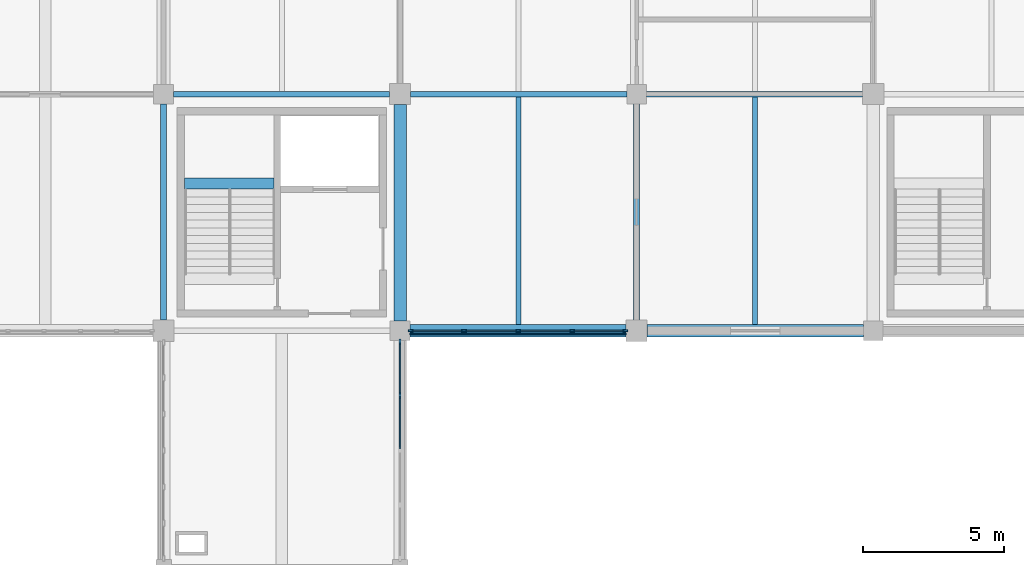
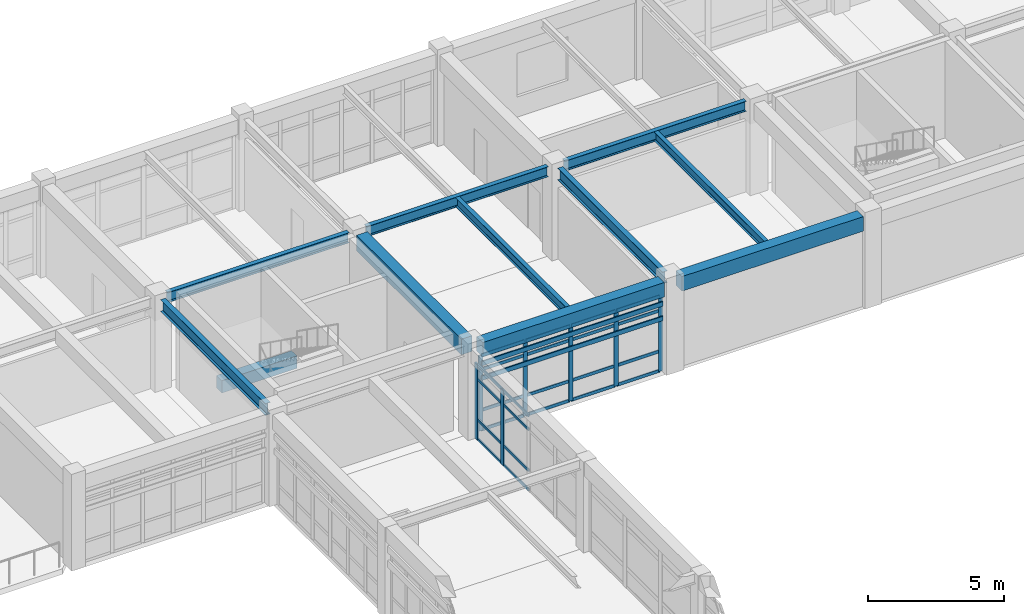
# One storey, part 12 of 40: 33 members, 11 beams, 2 elements without a shape of their own.
"""IFC4 building model written with IfcOpenShell, lengths in metres."""

from ifc_helpers import new_model, si_unit, direction, frame, origin, origin_2d, place, context, subcontext, project, spatial, rectangle, i_section, extrude, material, layer, layer_set, material_profile, profile_set, type_object, element, aggregate, save


model = new_model("IFC4")

# Units and contexts
model_context = context("Model", 3, precision=1e-05, world=origin(), true_north=direction((0.0, 1.0)))
body_context = subcontext(model_context, "Body", "Model", "MODEL_VIEW")
ifc_project = project(units=[si_unit("LENGTHUNIT", "METRE"), si_unit("AREAUNIT", "SQUARE_METRE"), si_unit("VOLUMEUNIT", "CUBIC_METRE"), si_unit("PLANEANGLEUNIT", "RADIAN"), si_unit("MASSUNIT", "GRAM", prefix="KILO")], contexts=[model_context])

# Site, building, storey
site_placement = place(None, origin())
site = spatial("IfcSite", under=ifc_project, at=site_placement, CompositionType="ELEMENT")
building_placement = place(site_placement, origin())
building = spatial("IfcBuilding", under=site, at=building_placement, Name="Porcellanite Civic Hall", CompositionType="ELEMENT")
storey_placement = place(building_placement, frame((0.0, 0.0, 19.080078125)))
storey = spatial("IfcBuildingStorey", under=building, at=storey_placement, Name="L04", CompositionType="ELEMENT", Elevation=19.080078125)

# Beams
ifc_material_1 = material(Name="Concrete N50 (50 MPa)", Category="concrete")
ifc_material_profile_1 = material_profile(ifc_material_1, rectangle(XDim=0.39990234375, YDim=0.550048828125, at=origin_2d()), Name="RC-400x550")
ifc_profile_set_1 = profile_set([ifc_material_profile_1], Name="Concrete N50 (50 MPa)")
beam_type_1 = type_object("IfcBeamType", Name="BM-RC550", PredefinedType="JOIST", material=ifc_profile_set_1)
beam_1_placement = place(storey_placement, frame((51.140380859375, 106.02490234375, 1.704833984375), z_axis=(1.0, 0.0, 0.0), x_axis=(0.0, 1.0, 0.0)))
element("IfcBeam", 1, at=beam_1_placement, inside=storey, type_object=beam_type_1, Name="Stair landing beam C3 L04", PredefinedType="JOIST", context=body_context, shape_type="SweptSolid", body=[
    extrude(rectangle(XDim=0.39990234375, YDim=0.550048828125, at=origin_2d()), origin(), (0.0, 0.0, 1.0), 3.17919921875),
])
ifc_material_2 = material(Name="Concrete N50 (50 MPa)", Category="concrete")
ifc_material_profile_2 = material_profile(ifc_material_2, rectangle(XDim=0.449951171875, YDim=0.64990234375, at=origin_2d()), Name="RC-450x650")
ifc_profile_set_2 = profile_set([ifc_material_profile_2], Name="Concrete N50 (50 MPa)")
beam_type_2 = type_object("IfcBeamType", Name="BM-RC650", PredefinedType="SPANDREL", material=ifc_profile_set_2)
for number, where, z_axis, x_axis, name in (
    (2, (59.1494140625, 100.800048828125, 3.744873046875), (1.0, 0.0, 0.0), (0.0, 1.0, 0.0), "Beam X L04 8-13"),
    (3, (67.574462890625, 100.800048828125, 3.744873046875), (1.0, 0.0, 0.0), (0.0, 1.0, 0.0), "Beam X L04 9-13"),
):
    element("IfcBeam", number, at=place(storey_placement, frame(where, z_axis=z_axis, x_axis=x_axis)), inside=storey, type_object=beam_type_2, Name=name, PredefinedType="SPANDREL", context=body_context, shape_type="SweptSolid", body=[
        extrude(rectangle(XDim=0.449951171875, YDim=0.64990234375, at=origin_2d()), origin(), (0.0, 0.0, 1.0), 7.676025390625),
    ])
ifc_material_3 = material(Name="Concrete N50 (50 MPa)", Category="concrete")
ifc_material_profile_3 = material_profile(ifc_material_3, rectangle(XDim=0.449951171875, YDim=0.699951171875, at=origin_2d()), Name="RC-450x700")
ifc_profile_set_3 = profile_set([ifc_material_profile_3], Name="Concrete N50 (50 MPa)")
beam_type_3 = type_object("IfcBeamType", Name="BM-RC700", PredefinedType="BEAM", material=ifc_profile_set_3)
beam_2_placement = place(storey_placement, frame((58.800048828125, 101.1494140625, 3.719970703125), z_axis=(0.0, 1.0, 0.0), x_axis=(-1.0, 0.0, 0.0)))
element("IfcBeam", 4, at=beam_2_placement, inside=storey, type_object=beam_type_3, Name="Beam Y L04 8-13", PredefinedType="BEAM", context=body_context, shape_type="SweptSolid", body=[
    extrude(rectangle(XDim=0.449951171875, YDim=0.699951171875, at=origin_2d()), origin(), (0.0, 0.0, 1.0), 7.676025390625),
])

# Curtain wall, members
ifc_material_4 = material(Name="Anodised aluminium and solar laminated glass", Category="aluminium")
ifc_layer_1 = layer(ifc_material_4, 0.179931640625)
ifc_layer_set_1 = layer_set([ifc_layer_1], Name="Anodised aluminium and solar laminated glass")
curtain_wall_type_1 = type_object("IfcCurtainWallType", Name="CW-SYS03", PredefinedType="NOTDEFINED", material=ifc_layer_set_1)
curtain_wall_1_placement = place(storey_placement, origin())
curtain_wall_1 = element("IfcCurtainWall", 5, at=curtain_wall_1_placement, inside=storey, type_object=curtain_wall_type_1, Name="Curtain wall CW-246", PredefinedType="NOTDEFINED")
ifc_material_5 = material(Name="Anodised aluminium 6063-T6", Category="aluminium")
ifc_material_profile_4 = material_profile(ifc_material_5, rectangle(XDim=0.080078125, YDim=0.2099609375, at=origin_2d()), Name="AL-80x210")
ifc_profile_set_4 = profile_set([ifc_material_profile_4], Name="Anodised aluminium 6063-T6")
member_type_1 = type_object("IfcMemberType", Name="CWM-02", PredefinedType="MULLION", material=ifc_profile_set_4)
member_1_placement = place(storey_placement, frame((58.800048828125, 100.408935546875, 0.0), z_axis=(0.0, 0.0, 1.0), x_axis=(1.0, 0.0, 0.0)))
member_1 = element("IfcMember", 6, at=member_1_placement, type_object=member_type_1, Name="CW-246 mullion 1", PredefinedType="MULLION", context=body_context, shape_type="SweptSolid", body=[
    extrude(rectangle(XDim=0.080078125, YDim=0.2099609375, at=origin_2d()), origin(), (0.0, 0.0, 1.0), 3.369873046875),
])
member_2_placement = place(storey_placement, frame((58.800048828125, 98.505859375, 0.0), z_axis=(0.0, 0.0, 1.0), x_axis=(1.0, 0.0, 0.0)))
member_2 = element("IfcMember", 7, at=member_2_placement, type_object=member_type_1, Name="CW-246 mullion 2", PredefinedType="MULLION", context=body_context, shape_type="SweptSolid", body=[
    extrude(rectangle(XDim=0.080078125, YDim=0.2099609375, at=origin_2d()), origin(), (0.0, 0.0, 1.0), 3.369873046875),
])

ifc_material_6 = material(Name="Anodised aluminium and solar laminated glass", Category="aluminium")
ifc_layer_2 = layer(ifc_material_6, 0.179931640625)
ifc_layer_set_2 = layer_set([ifc_layer_2], Name="Anodised aluminium and solar laminated glass")
curtain_wall_type_2 = type_object("IfcCurtainWallType", Name="CW-SYS06", PredefinedType="NOTDEFINED", material=ifc_layer_set_2)
curtain_wall_2_placement = place(storey_placement, origin())
curtain_wall_2 = element("IfcCurtainWall", 8, at=curtain_wall_2_placement, inside=storey, type_object=curtain_wall_type_2, Name="Curtain wall CW-248", PredefinedType="NOTDEFINED")
ifc_material_7 = material(Name="Anodised aluminium 6063-T6", Category="aluminium")
ifc_material_profile_5 = material_profile(ifc_material_7, rectangle(XDim=0.06494140625, YDim=0.179931640625, at=origin_2d()), Name="AL-65x180")
ifc_profile_set_5 = profile_set([ifc_material_profile_5], Name="Anodised aluminium 6063-T6")
member_type_2 = type_object("IfcMemberType", Name="CWM-06", PredefinedType="MULLION", material=ifc_profile_set_5)
member_3_placement = place(storey_placement, frame((66.79150390625, 100.800048828125, 0.0), z_axis=(0.0, 0.0, 1.0), x_axis=(0.0, -1.0, 0.0)))
member_3 = element("IfcMember", 9, at=member_3_placement, type_object=member_type_2, Name="CW-248 mullion 1", PredefinedType="MULLION", context=body_context, shape_type="SweptSolid", body=[
    extrude(rectangle(XDim=0.06494140625, YDim=0.179931640625, at=origin_2d()), origin(), (0.0, 0.0, 1.0), 3.369873046875),
])
member_4_placement = place(storey_placement, frame((64.90576171875, 100.800048828125, 0.0), z_axis=(0.0, 0.0, 1.0), x_axis=(0.0, -1.0, 0.0)))
member_4 = element("IfcMember", 10, at=member_4_placement, type_object=member_type_2, Name="CW-248 mullion 2", PredefinedType="MULLION", context=body_context, shape_type="SweptSolid", body=[
    extrude(rectangle(XDim=0.06494140625, YDim=0.179931640625, at=origin_2d()), origin(), (0.0, 0.0, 1.0), 3.369873046875),
])
member_5_placement = place(storey_placement, frame((62.987548828125, 100.800048828125, 0.0), z_axis=(0.0, 0.0, 1.0), x_axis=(0.0, -1.0, 0.0)))
member_5 = element("IfcMember", 11, at=member_5_placement, type_object=member_type_2, Name="CW-248 mullion 3", PredefinedType="MULLION", context=body_context, shape_type="SweptSolid", body=[
    extrude(rectangle(XDim=0.06494140625, YDim=0.179931640625, at=origin_2d()), origin(), (0.0, 0.0, 1.0), 3.369873046875),
])
member_6_placement = place(storey_placement, frame((61.0693359375, 100.800048828125, 0.0), z_axis=(0.0, 0.0, 1.0), x_axis=(0.0, -1.0, 0.0)))
member_6 = element("IfcMember", 12, at=member_6_placement, type_object=member_type_2, Name="CW-248 mullion 4", PredefinedType="MULLION", context=body_context, shape_type="SweptSolid", body=[
    extrude(rectangle(XDim=0.06494140625, YDim=0.179931640625, at=origin_2d()), origin(), (0.0, 0.0, 1.0), 3.369873046875),
])
member_7_placement = place(storey_placement, frame((59.18359375, 100.800048828125, 0.0), z_axis=(0.0, 0.0, 1.0), x_axis=(0.0, -1.0, 0.0)))
member_7 = element("IfcMember", 13, at=member_7_placement, type_object=member_type_2, Name="CW-248 mullion 5", PredefinedType="MULLION", context=body_context, shape_type="SweptSolid", body=[
    extrude(rectangle(XDim=0.06494140625, YDim=0.179931640625, at=origin_2d()), origin(), (0.0, 0.0, 1.0), 3.369873046875),
])

# Member
ifc_material_8 = material(Name="Anodised aluminium 6063-T6", Category="aluminium")
ifc_material_profile_6 = material_profile(ifc_material_8, rectangle(XDim=0.054931640625, YDim=0.1201171875, at=origin_2d()), Name="AL-55x120")
ifc_profile_set_6 = profile_set([ifc_material_profile_6], Name="Anodised aluminium 6063-T6")
member_type_3 = type_object("IfcMemberType", Name="CWT-04", PredefinedType="USERDEFINED", material=ifc_profile_set_6)
member_8_placement = place(storey_placement, frame((58.800048828125, 100.368896484375, 0.02734375), z_axis=(0.0, -1.0, 0.0), x_axis=(1.0, 0.0, 0.0)))
member_8 = element("IfcMember", 14, at=member_8_placement, type_object=member_type_3, Name="CW-246 transom 1.1", ObjectType="TRANSOM", PredefinedType="USERDEFINED", context=body_context, shape_type="SweptSolid", body=[
    extrude(rectangle(XDim=0.054931640625, YDim=0.1201171875, at=origin_2d()), origin(), (0.0, 0.0, 1.0), 1.8232421875),
])

member_9_placement = place(storey_placement, frame((58.800048828125, 100.368896484375, 0.89990234375), z_axis=(0.0, -1.0, 0.0), x_axis=(1.0, 0.0, 0.0)))
member_9 = element("IfcMember", 15, at=member_9_placement, type_object=member_type_3, Name="CW-246 transom 1.2", ObjectType="TRANSOM", PredefinedType="USERDEFINED", context=body_context, shape_type="SweptSolid", body=[
    extrude(rectangle(XDim=0.054931640625, YDim=0.1201171875, at=origin_2d()), origin(), (0.0, 0.0, 1.0), 1.8232421875),
])

member_10_placement = place(storey_placement, frame((58.800048828125, 100.368896484375, 2.719970703125), z_axis=(0.0, -1.0, 0.0), x_axis=(1.0, 0.0, 0.0)))
member_10 = element("IfcMember", 16, at=member_10_placement, type_object=member_type_3, Name="CW-246 transom 1.3", ObjectType="TRANSOM", PredefinedType="USERDEFINED", context=body_context, shape_type="SweptSolid", body=[
    extrude(rectangle(XDim=0.054931640625, YDim=0.1201171875, at=origin_2d()), origin(), (0.0, 0.0, 1.0), 1.8232421875),
])

member_11_placement = place(storey_placement, frame((58.800048828125, 100.368896484375, 3.342529296875), z_axis=(0.0, -1.0, 0.0), x_axis=(1.0, 0.0, 0.0)))
member_11 = element("IfcMember", 17, at=member_11_placement, type_object=member_type_3, Name="CW-246 transom 1.4", ObjectType="TRANSOM", PredefinedType="USERDEFINED", context=body_context, shape_type="SweptSolid", body=[
    extrude(rectangle(XDim=0.054931640625, YDim=0.1201171875, at=origin_2d()), origin(), (0.0, 0.0, 1.0), 1.8232421875),
])

member_12_placement = place(storey_placement, frame((58.800048828125, 98.4658203125, 0.02734375), z_axis=(0.0, -1.0, 0.0), x_axis=(1.0, 0.0, 0.0)))
member_12 = element("IfcMember", 18, at=member_12_placement, type_object=member_type_3, Name="CW-246 transom 2.1", ObjectType="TRANSOM", PredefinedType="USERDEFINED", context=body_context, shape_type="SweptSolid", body=[
    extrude(rectangle(XDim=0.054931640625, YDim=0.1201171875, at=origin_2d()), origin(), (0.0, 0.0, 1.0), 1.86328125),
])

member_13_placement = place(storey_placement, frame((58.800048828125, 98.4658203125, 0.89990234375), z_axis=(0.0, -1.0, 0.0), x_axis=(1.0, 0.0, 0.0)))
member_13 = element("IfcMember", 19, at=member_13_placement, type_object=member_type_3, Name="CW-246 transom 2.2", ObjectType="TRANSOM", PredefinedType="USERDEFINED", context=body_context, shape_type="SweptSolid", body=[
    extrude(rectangle(XDim=0.054931640625, YDim=0.1201171875, at=origin_2d()), origin(), (0.0, 0.0, 1.0), 1.86328125),
])

member_14_placement = place(storey_placement, frame((58.800048828125, 98.4658203125, 2.719970703125), z_axis=(0.0, -1.0, 0.0), x_axis=(1.0, 0.0, 0.0)))
member_14 = element("IfcMember", 20, at=member_14_placement, type_object=member_type_3, Name="CW-246 transom 2.3", ObjectType="TRANSOM", PredefinedType="USERDEFINED", context=body_context, shape_type="SweptSolid", body=[
    extrude(rectangle(XDim=0.054931640625, YDim=0.1201171875, at=origin_2d()), origin(), (0.0, 0.0, 1.0), 1.86328125),
])

member_15_placement = place(storey_placement, frame((58.800048828125, 98.4658203125, 3.342529296875), z_axis=(0.0, -1.0, 0.0), x_axis=(1.0, 0.0, 0.0)))
member_15 = element("IfcMember", 21, at=member_15_placement, type_object=member_type_3, Name="CW-246 transom 2.4", ObjectType="TRANSOM", PredefinedType="USERDEFINED", context=body_context, shape_type="SweptSolid", body=[
    extrude(rectangle(XDim=0.054931640625, YDim=0.1201171875, at=origin_2d()), origin(), (0.0, 0.0, 1.0), 1.86328125),
])

aggregate(curtain_wall_1, [member_1, member_2, member_8, member_9, member_10, member_11, member_12, member_13, member_14, member_15])

ifc_material_9 = material(Name="Anodised aluminium 6063-T6", Category="aluminium")
ifc_material_profile_7 = material_profile(ifc_material_9, rectangle(XDim=0.050048828125, YDim=0.139892578125, at=origin_2d()), Name="AL-50x140")
ifc_profile_set_7 = profile_set([ifc_material_profile_7], Name="Anodised aluminium 6063-T6")
member_type_4 = type_object("IfcMemberType", Name="CWT-06", PredefinedType="USERDEFINED", material=ifc_profile_set_7)
member_16_placement = place(storey_placement, frame((66.759033203125, 100.800048828125, 0.02490234375), z_axis=(-1.0, 0.0, 0.0), x_axis=(0.0, -1.0, 0.0)))
member_16 = element("IfcMember", 22, at=member_16_placement, type_object=member_type_4, Name="CW-248 transom 1.1", ObjectType="TRANSOM", PredefinedType="USERDEFINED", context=body_context, shape_type="SweptSolid", body=[
    extrude(rectangle(XDim=0.050048828125, YDim=0.139892578125, at=origin_2d()), origin(), (0.0, 0.0, 1.0), 1.82080078125),
])

member_17_placement = place(storey_placement, frame((66.759033203125, 100.800048828125, 0.89990234375), z_axis=(-1.0, 0.0, 0.0), x_axis=(0.0, -1.0, 0.0)))
member_17 = element("IfcMember", 23, at=member_17_placement, type_object=member_type_4, Name="CW-248 transom 1.2", ObjectType="TRANSOM", PredefinedType="USERDEFINED", context=body_context, shape_type="SweptSolid", body=[
    extrude(rectangle(XDim=0.050048828125, YDim=0.139892578125, at=origin_2d()), origin(), (0.0, 0.0, 1.0), 1.82080078125),
])

member_18_placement = place(storey_placement, frame((66.759033203125, 100.800048828125, 2.719970703125), z_axis=(-1.0, 0.0, 0.0), x_axis=(0.0, -1.0, 0.0)))
member_18 = element("IfcMember", 24, at=member_18_placement, type_object=member_type_4, Name="CW-248 transom 1.3", ObjectType="TRANSOM", PredefinedType="USERDEFINED", context=body_context, shape_type="SweptSolid", body=[
    extrude(rectangle(XDim=0.050048828125, YDim=0.139892578125, at=origin_2d()), origin(), (0.0, 0.0, 1.0), 1.82080078125),
])

member_19_placement = place(storey_placement, frame((66.759033203125, 100.800048828125, 3.344970703125), z_axis=(-1.0, 0.0, 0.0), x_axis=(0.0, -1.0, 0.0)))
member_19 = element("IfcMember", 25, at=member_19_placement, type_object=member_type_4, Name="CW-248 transom 1.4", ObjectType="TRANSOM", PredefinedType="USERDEFINED", context=body_context, shape_type="SweptSolid", body=[
    extrude(rectangle(XDim=0.050048828125, YDim=0.139892578125, at=origin_2d()), origin(), (0.0, 0.0, 1.0), 1.82080078125),
])

member_20_placement = place(storey_placement, frame((64.873291015625, 100.800048828125, 0.02490234375), z_axis=(-1.0, 0.0, 0.0), x_axis=(0.0, -1.0, 0.0)))
member_20 = element("IfcMember", 26, at=member_20_placement, type_object=member_type_4, Name="CW-248 transom 2.1", ObjectType="TRANSOM", PredefinedType="USERDEFINED", context=body_context, shape_type="SweptSolid", body=[
    extrude(rectangle(XDim=0.050048828125, YDim=0.139892578125, at=origin_2d()), origin(), (0.0, 0.0, 1.0), 1.853271484375),
])

member_21_placement = place(storey_placement, frame((64.873291015625, 100.800048828125, 0.89990234375), z_axis=(-1.0, 0.0, 0.0), x_axis=(0.0, -1.0, 0.0)))
member_21 = element("IfcMember", 27, at=member_21_placement, type_object=member_type_4, Name="CW-248 transom 2.2", ObjectType="TRANSOM", PredefinedType="USERDEFINED", context=body_context, shape_type="SweptSolid", body=[
    extrude(rectangle(XDim=0.050048828125, YDim=0.139892578125, at=origin_2d()), origin(), (0.0, 0.0, 1.0), 1.853271484375),
])

member_22_placement = place(storey_placement, frame((64.873291015625, 100.800048828125, 2.719970703125), z_axis=(-1.0, 0.0, 0.0), x_axis=(0.0, -1.0, 0.0)))
member_22 = element("IfcMember", 28, at=member_22_placement, type_object=member_type_4, Name="CW-248 transom 2.3", ObjectType="TRANSOM", PredefinedType="USERDEFINED", context=body_context, shape_type="SweptSolid", body=[
    extrude(rectangle(XDim=0.050048828125, YDim=0.139892578125, at=origin_2d()), origin(), (0.0, 0.0, 1.0), 1.853271484375),
])

member_23_placement = place(storey_placement, frame((64.873291015625, 100.800048828125, 3.344970703125), z_axis=(-1.0, 0.0, 0.0), x_axis=(0.0, -1.0, 0.0)))
member_23 = element("IfcMember", 29, at=member_23_placement, type_object=member_type_4, Name="CW-248 transom 2.4", ObjectType="TRANSOM", PredefinedType="USERDEFINED", context=body_context, shape_type="SweptSolid", body=[
    extrude(rectangle(XDim=0.050048828125, YDim=0.139892578125, at=origin_2d()), origin(), (0.0, 0.0, 1.0), 1.853271484375),
])

member_24_placement = place(storey_placement, frame((62.955078125, 100.800048828125, 0.02490234375), z_axis=(-1.0, 0.0, 0.0), x_axis=(0.0, -1.0, 0.0)))
member_24 = element("IfcMember", 30, at=member_24_placement, type_object=member_type_4, Name="CW-248 transom 3.1", ObjectType="TRANSOM", PredefinedType="USERDEFINED", context=body_context, shape_type="SweptSolid", body=[
    extrude(rectangle(XDim=0.050048828125, YDim=0.139892578125, at=origin_2d()), origin(), (0.0, 0.0, 1.0), 1.853271484375),
])

member_25_placement = place(storey_placement, frame((62.955078125, 100.800048828125, 0.89990234375), z_axis=(-1.0, 0.0, 0.0), x_axis=(0.0, -1.0, 0.0)))
member_25 = element("IfcMember", 31, at=member_25_placement, type_object=member_type_4, Name="CW-248 transom 3.2", ObjectType="TRANSOM", PredefinedType="USERDEFINED", context=body_context, shape_type="SweptSolid", body=[
    extrude(rectangle(XDim=0.050048828125, YDim=0.139892578125, at=origin_2d()), origin(), (0.0, 0.0, 1.0), 1.853271484375),
])

member_26_placement = place(storey_placement, frame((62.955078125, 100.800048828125, 2.719970703125), z_axis=(-1.0, 0.0, 0.0), x_axis=(0.0, -1.0, 0.0)))
member_26 = element("IfcMember", 32, at=member_26_placement, type_object=member_type_4, Name="CW-248 transom 3.3", ObjectType="TRANSOM", PredefinedType="USERDEFINED", context=body_context, shape_type="SweptSolid", body=[
    extrude(rectangle(XDim=0.050048828125, YDim=0.139892578125, at=origin_2d()), origin(), (0.0, 0.0, 1.0), 1.853271484375),
])

member_27_placement = place(storey_placement, frame((62.955078125, 100.800048828125, 3.344970703125), z_axis=(-1.0, 0.0, 0.0), x_axis=(0.0, -1.0, 0.0)))
member_27 = element("IfcMember", 33, at=member_27_placement, type_object=member_type_4, Name="CW-248 transom 3.4", ObjectType="TRANSOM", PredefinedType="USERDEFINED", context=body_context, shape_type="SweptSolid", body=[
    extrude(rectangle(XDim=0.050048828125, YDim=0.139892578125, at=origin_2d()), origin(), (0.0, 0.0, 1.0), 1.853271484375),
])

member_28_placement = place(storey_placement, frame((61.036865234375, 100.800048828125, 0.02490234375), z_axis=(-1.0, 0.0, 0.0), x_axis=(0.0, -1.0, 0.0)))
member_28 = element("IfcMember", 34, at=member_28_placement, type_object=member_type_4, Name="CW-248 transom 4.1", ObjectType="TRANSOM", PredefinedType="USERDEFINED", context=body_context, shape_type="SweptSolid", body=[
    extrude(rectangle(XDim=0.050048828125, YDim=0.139892578125, at=origin_2d()), origin(), (0.0, 0.0, 1.0), 1.82080078125),
])

member_29_placement = place(storey_placement, frame((61.036865234375, 100.800048828125, 0.89990234375), z_axis=(-1.0, 0.0, 0.0), x_axis=(0.0, -1.0, 0.0)))
member_29 = element("IfcMember", 35, at=member_29_placement, type_object=member_type_4, Name="CW-248 transom 4.2", ObjectType="TRANSOM", PredefinedType="USERDEFINED", context=body_context, shape_type="SweptSolid", body=[
    extrude(rectangle(XDim=0.050048828125, YDim=0.139892578125, at=origin_2d()), origin(), (0.0, 0.0, 1.0), 1.82080078125),
])

member_30_placement = place(storey_placement, frame((61.036865234375, 100.800048828125, 2.719970703125), z_axis=(-1.0, 0.0, 0.0), x_axis=(0.0, -1.0, 0.0)))
member_30 = element("IfcMember", 36, at=member_30_placement, type_object=member_type_4, Name="CW-248 transom 4.3", ObjectType="TRANSOM", PredefinedType="USERDEFINED", context=body_context, shape_type="SweptSolid", body=[
    extrude(rectangle(XDim=0.050048828125, YDim=0.139892578125, at=origin_2d()), origin(), (0.0, 0.0, 1.0), 1.82080078125),
])

member_31_placement = place(storey_placement, frame((61.036865234375, 100.800048828125, 3.344970703125), z_axis=(-1.0, 0.0, 0.0), x_axis=(0.0, -1.0, 0.0)))
member_31 = element("IfcMember", 37, at=member_31_placement, type_object=member_type_4, Name="CW-248 transom 4.4", ObjectType="TRANSOM", PredefinedType="USERDEFINED", context=body_context, shape_type="SweptSolid", body=[
    extrude(rectangle(XDim=0.050048828125, YDim=0.139892578125, at=origin_2d()), origin(), (0.0, 0.0, 1.0), 1.82080078125),
])

aggregate(curtain_wall_2, [member_3, member_4, member_5, member_6, member_7, member_16, member_17, member_18, member_19, member_20, member_21, member_22, member_23, member_24, member_25, member_26, member_27, member_28, member_29, member_30, member_31])

# Beams
ifc_material_10 = material(Name="Steel Grade 350", Category="steel")
ifc_material_profile_8 = material_profile(ifc_material_10, i_section(OverallWidth=0.177978515625, OverallDepth=0.403076171875, WebThickness=0.007568359375, FlangeThickness=0.010986328125, FilletRadius=0.011474609375, at=origin_2d()), Name="410UB53.7")
ifc_profile_set_8 = profile_set([ifc_material_profile_8], Name="Steel Grade 350")
beam_type_4 = type_object("IfcBeamType", Name="JST-410UB54", PredefinedType="JOIST", material=ifc_profile_set_8)
beam_3_placement = place(storey_placement, frame((71.39990234375, 101.0244140625, 3.868408203125), z_axis=(0.0, 1.0, 0.0), x_axis=(-1.0, 0.0, 0.0)))
element("IfcBeam", 38, at=beam_3_placement, inside=storey, type_object=beam_type_4, Name="Secondary joist L04 9-13", PredefinedType="JOIST", context=body_context, shape_type="SweptSolid", body=[
    extrude(i_section(OverallWidth=0.177978515625, OverallDepth=0.403076171875, WebThickness=0.007568359375, FlangeThickness=0.010986328125, FilletRadius=0.011474609375, at=origin_2d()), origin(), (0.0, 0.0, 1.0), 8.0810546875),
])
ifc_material_11 = material(Name="Steel Grade 350", Category="steel")
ifc_material_profile_9 = material_profile(ifc_material_11, i_section(OverallWidth=0.177978515625, OverallDepth=0.406005859375, WebThickness=0.0078125, FlangeThickness=0.0126953125, FilletRadius=0.011474609375, at=origin_2d()), Name="410UB59.7")
ifc_profile_set_9 = profile_set([ifc_material_profile_9], Name="Steel Grade 350")
beam_type_5 = type_object("IfcBeamType", Name="JST-410UB60", PredefinedType="JOIST", material=ifc_profile_set_9)
beam_4_placement = place(storey_placement, frame((63.0, 101.0244140625, 3.866943359375), z_axis=(0.0, 1.0, 0.0), x_axis=(-1.0, 0.0, 0.0)))
element("IfcBeam", 39, at=beam_4_placement, inside=storey, type_object=beam_type_5, Name="Secondary joist L04 8-13", PredefinedType="JOIST", context=body_context, shape_type="SweptSolid", body=[
    extrude(i_section(OverallWidth=0.177978515625, OverallDepth=0.406005859375, WebThickness=0.0078125, FlangeThickness=0.0126953125, FilletRadius=0.011474609375, at=origin_2d()), origin(), (0.0, 0.0, 1.0), 8.0810546875),
])

# Members
ifc_material_12 = material(Name="Fluoropolymer bauxite-red aluminium 6063-T6", Category="aluminium")
ifc_material_profile_10 = material_profile(ifc_material_12, rectangle(XDim=0.054931640625, YDim=0.199951171875, at=origin_2d()), Name="AL-55x200")
ifc_profile_set_10 = profile_set([ifc_material_profile_10], Name="Fluoropolymer bauxite-red aluminium 6063-T6")
member_type_5 = type_object("IfcMemberType", Name="LV-BLD09", PredefinedType="USERDEFINED", material=ifc_profile_set_10)
for number, where, z_axis, x_axis, name in (
    (40, (66.825439453125, 100.680419921875, 3.06982421875), (-1.0, 0.0, 0.0), (0.0, -1.0, 0.0), "Cyclone sunshade louvre L04 S 7-12 1"),
    (41, (66.825439453125, 100.680419921875, 2.419921875), (-1.0, 0.0, 0.0), (0.0, -1.0, 0.0), "Cyclone sunshade louvre L04 S 7-12 2"),
):
    element("IfcMember", number, at=place(storey_placement, frame(where, z_axis=z_axis, x_axis=x_axis)), inside=storey, type_object=member_type_5, Name=name, ObjectType="LOUVRE BLADE", PredefinedType="USERDEFINED", context=body_context, shape_type="SweptSolid", body=[
        extrude(rectangle(XDim=0.054931640625, YDim=0.199951171875, at=origin_2d()), origin(), (0.0, 0.0, 1.0), 7.676025390625),
    ])

# Beams
ifc_material_13 = material(Name="Steel Grade 350", Category="steel")
ifc_material_profile_11 = material_profile(ifc_material_13, i_section(OverallWidth=0.18994140625, OverallDepth=0.4541015625, WebThickness=0.008544921875, FlangeThickness=0.0126953125, FilletRadius=0.011474609375, at=origin_2d()), Name="460UB67.1")
ifc_profile_set_11 = profile_set([ifc_material_profile_11], Name="Steel Grade 350")
beam_type_6 = type_object("IfcBeamType", Name="RAF-460UB67", PredefinedType="BEAM", material=ifc_profile_set_11)
for number, where, z_axis, x_axis, name in (
    (42, (50.74951171875, 109.199951171875, 3.843017578125), (1.0, 0.0, 0.0), (0.0, 1.0, 0.0), "Beam X L04 7-14"),
    (43, (59.174560546875, 109.199951171875, 3.843017578125), (1.0, 0.0, 0.0), (0.0, 1.0, 0.0), "Beam X L04 8-14"),
    (44, (67.549560546875, 109.199951171875, 3.843017578125), (1.0, 0.0, 0.0), (0.0, 1.0, 0.0), "Beam X L04 9-14"),
):
    element("IfcBeam", number, at=place(storey_placement, frame(where, z_axis=z_axis, x_axis=x_axis)), inside=storey, type_object=beam_type_6, Name=name, PredefinedType="BEAM", context=body_context, shape_type="SweptSolid", body=[
        extrude(i_section(OverallWidth=0.18994140625, OverallDepth=0.4541015625, WebThickness=0.008544921875, FlangeThickness=0.0126953125, FilletRadius=0.011474609375, at=origin_2d()), origin(), (0.0, 0.0, 1.0), 7.676025390625),
    ])
ifc_material_14 = material(Name="Steel Grade 350", Category="steel")
ifc_material_profile_12 = material_profile(ifc_material_14, i_section(OverallWidth=0.208984375, OverallDepth=0.528076171875, WebThickness=0.009521484375, FlangeThickness=0.01318359375, FilletRadius=0.013916015625, at=origin_2d()), Name="530UB82.0")
ifc_profile_set_12 = profile_set([ifc_material_profile_12], Name="Steel Grade 350")
beam_type_7 = type_object("IfcBeamType", Name="RAF-530UB82", PredefinedType="BEAM", material=ifc_profile_set_12)
for number, where, z_axis, x_axis, name in (
    (45, (50.39990234375, 101.174560546875, 3.805908203125), (0.0, 1.0, 0.0), (-1.0, 0.0, 0.0), "Beam Y L04 7-13"),
    (46, (67.199951171875, 101.174560546875, 3.805908203125), (0.0, 1.0, 0.0), (-1.0, 0.0, 0.0), "Beam Y L04 9-13"),
):
    element("IfcBeam", number, at=place(storey_placement, frame(where, z_axis=z_axis, x_axis=x_axis)), inside=storey, type_object=beam_type_7, Name=name, PredefinedType="BEAM", context=body_context, shape_type="SweptSolid", body=[
        extrude(i_section(OverallWidth=0.208984375, OverallDepth=0.528076171875, WebThickness=0.009521484375, FlangeThickness=0.01318359375, FilletRadius=0.013916015625, at=origin_2d()), origin(), (0.0, 0.0, 1.0), 7.676025390625),
    ])

save(model, "model.ifc")
